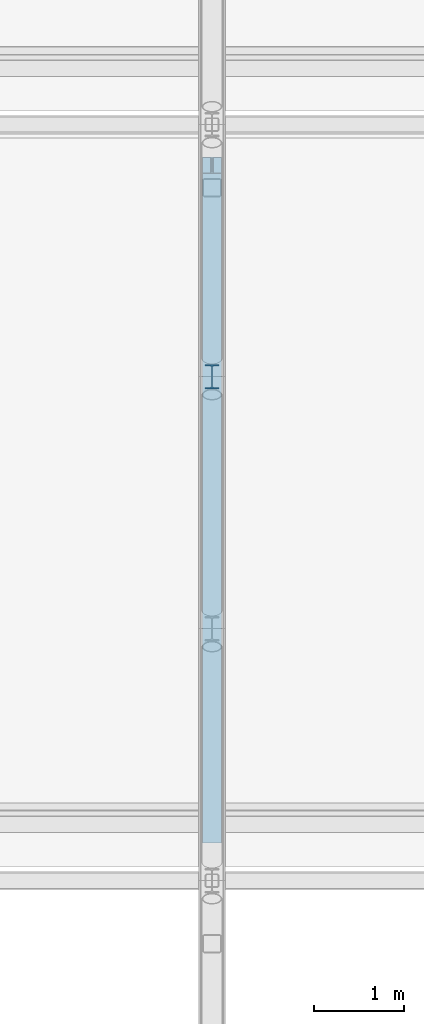
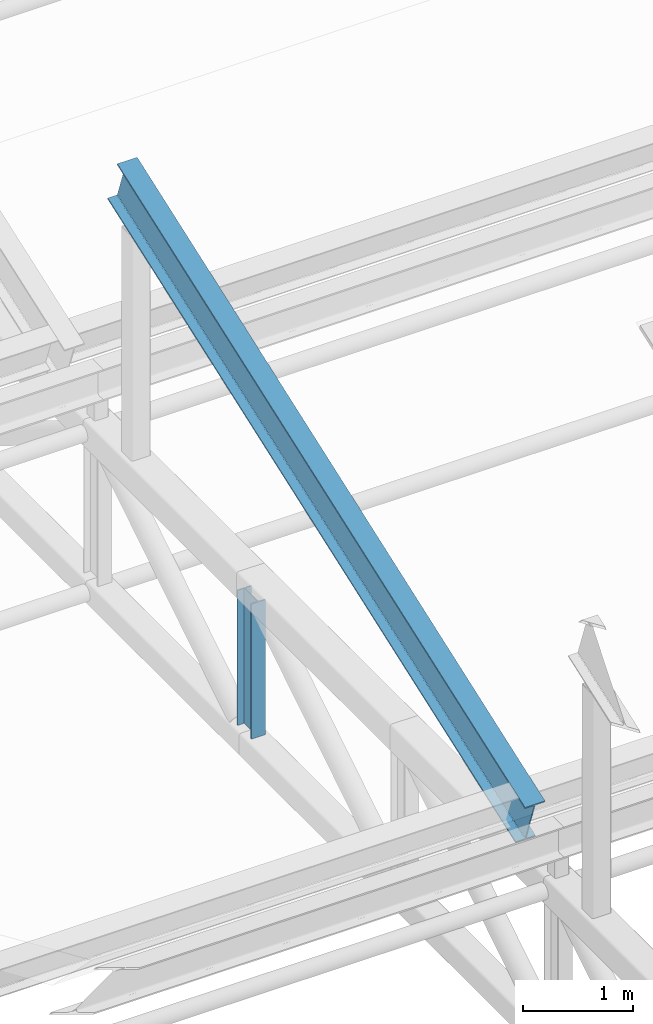
# One storey, part 27 of 101: 2 members.
"""IFC4 building model written with IfcOpenShell, lengths in metres."""

from ifc_helpers import new_model, si_unit, direction, frame, origin, origin_2d, place, context, subcontext, project, spatial, i_section, extrude, material, material_profile, profile_set, type_object, element, save


model = new_model("IFC4")

# Units and contexts
model_context = context("Model", 3, precision=1e-05, world=origin(), true_north=direction((0.0, 1.0)))
body_context = subcontext(model_context, "Body", "Model", "MODEL_VIEW")
ifc_project = project(units=[si_unit("LENGTHUNIT", "METRE"), si_unit("AREAUNIT", "SQUARE_METRE"), si_unit("VOLUMEUNIT", "CUBIC_METRE"), si_unit("PLANEANGLEUNIT", "RADIAN"), si_unit("MASSUNIT", "GRAM", prefix="KILO")], contexts=[model_context])

# Site, building, storey
site_placement = place(None, origin())
site = spatial("IfcSite", under=ifc_project, at=site_placement, CompositionType="ELEMENT")
building_placement = place(site_placement, origin())
building = spatial("IfcBuilding", under=site, at=building_placement, Name="Fescue Hill Polytechnic", CompositionType="ELEMENT")
storey_placement = place(building_placement, frame((0.0, 0.0, 9.0)))
storey = spatial("IfcBuildingStorey", under=building, at=storey_placement, Name="L02", CompositionType="ELEMENT", Elevation=9.0)

# Members
ifc_material = material(Name="Steel 350W (350 MPa)", Category="steel")
ifc_material_profile_1 = material_profile(ifc_material, i_section(OverallWidth=0.14794921875, OverallDepth=0.26611328125, WebThickness=0.007568359375, FlangeThickness=0.012939453125, FilletRadius=0.013916015625, at=origin_2d()), Name="W250x45")
ifc_profile_set_1 = profile_set([ifc_material_profile_1], Name="Steel 350W (350 MPa)")
member_type_1 = type_object("IfcMemberType", Name="Hall truss post W250x45", PredefinedType="POST", material=ifc_profile_set_1)
member_1_placement = place(storey_placement, frame((84.0, 30.800048828125, 2.126953125), z_axis=(0.0, 0.0, 1.0), x_axis=(1.0, 0.0, 0.0)))
element("IfcMember", 1, at=member_1_placement, inside=storey, type_object=member_type_1, Name="Truss TR6 post 6", PredefinedType="POST", context=body_context, shape_type="SweptSolid", body=[
    extrude(i_section(OverallWidth=0.14794921875, OverallDepth=0.26611328125, WebThickness=0.007568359375, FlangeThickness=0.012939453125, FilletRadius=0.013916015625, at=origin_2d()), origin(), (0.0, 0.0, 1.0), 1.504150390625),
])
ifc_material_profile_2 = material_profile(ifc_material, i_section(OverallWidth=0.208984375, OverallDepth=0.532958984375, WebThickness=0.01025390625, FlangeThickness=0.015625, FilletRadius=0.016357421875, at=origin_2d()), Name="W530x92")
ifc_profile_set_2 = profile_set([ifc_material_profile_2], Name="Steel 350W (350 MPa)")
member_type_2 = type_object("IfcMemberType", Name="Tooth rafter W530x92", PredefinedType="RAFTER", material=ifc_profile_set_2)
member_2_placement = place(storey_placement, frame((84.0, 25.71044921875, 4.18701171875), z_axis=(0.0, 0.941740513165, 0.336340312575), x_axis=(-1.0, 0.0, 0.0)))
element("IfcMember", 2, at=member_2_placement, inside=storey, type_object=member_type_2, Name="Tooth 2 rafter on TR6", PredefinedType="RAFTER", context=body_context, shape_type="SweptSolid", body=[
    extrude(i_section(OverallWidth=0.208984375, OverallDepth=0.532958984375, WebThickness=0.01025390625, FlangeThickness=0.015625, FilletRadius=0.016357421875, at=origin_2d()), origin(), (0.0, 0.0, 1.0), 7.899658203125),
])

save(model, "model.ifc")
